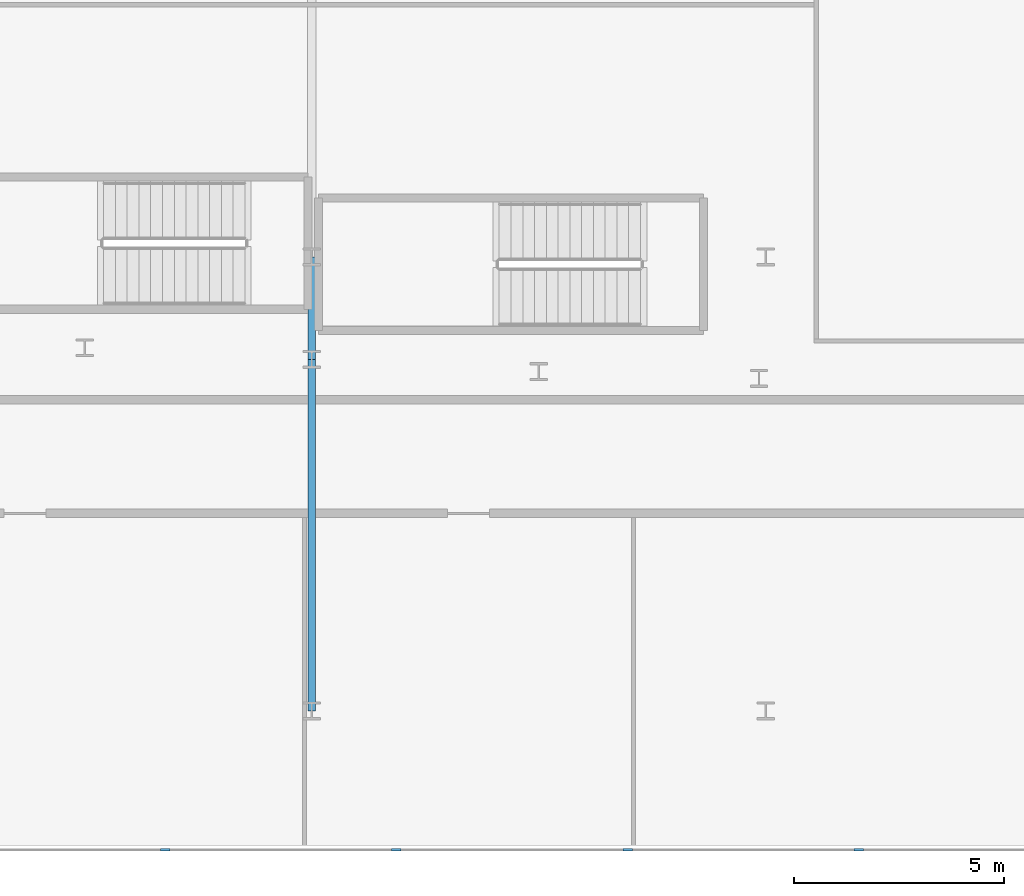
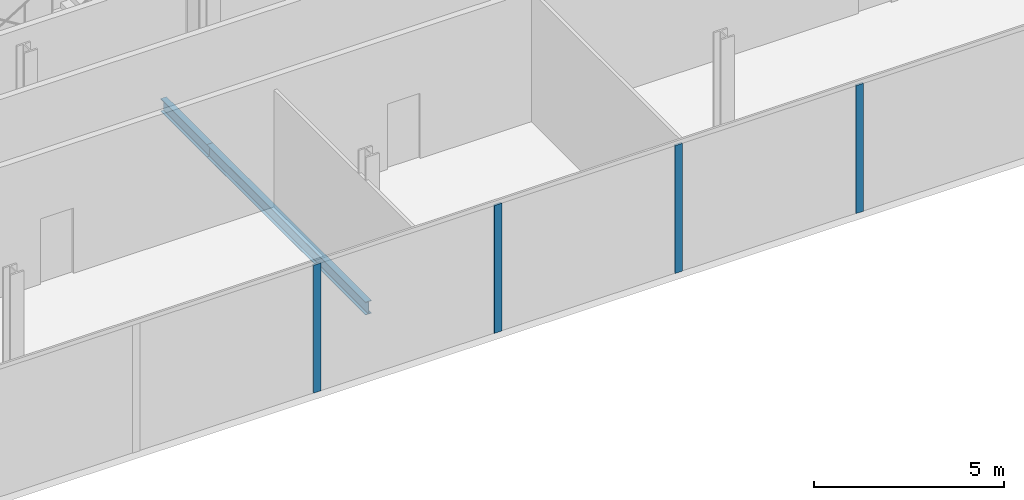
# One storey, part 10 of 47: 4 members, 2 beams, 1 element without a shape of its own.
"""IFC4 building model written with IfcOpenShell, lengths in metres."""

from ifc_helpers import new_model, si_unit, direction, frame, origin, origin_2d, place, context, subcontext, project, spatial, rectangle, i_section, extrude, material, layer, layer_set, material_profile, profile_set, type_object, element, aggregate, save


model = new_model("IFC4")

# Units and contexts
model_context = context("Model", 3, precision=1e-05, world=origin(), true_north=direction((0.0, 1.0)))
body_context = subcontext(model_context, "Body", "Model", "MODEL_VIEW")
ifc_project = project(units=[si_unit("LENGTHUNIT", "METRE"), si_unit("AREAUNIT", "SQUARE_METRE"), si_unit("VOLUMEUNIT", "CUBIC_METRE"), si_unit("PLANEANGLEUNIT", "RADIAN"), si_unit("MASSUNIT", "GRAM", prefix="KILO")], contexts=[model_context])

# Site, building, storey
site_placement = place(None, origin())
site = spatial("IfcSite", under=ifc_project, at=site_placement, CompositionType="ELEMENT")
building_placement = place(site_placement, origin())
building = spatial("IfcBuilding", under=site, at=building_placement, Name="Kheshtan School and Residences Tower", CompositionType="ELEMENT")
storey_placement = place(building_placement, frame((0.0, 0.0, 17.0)))
storey = spatial("IfcBuildingStorey", under=building, at=storey_placement, Name="L03", CompositionType="ELEMENT", Elevation=17.0)

# Beams
ifc_material_1 = material(Name="Steel ASTM A992 Grade 50", Category="steel")
ifc_material_profile_1 = material_profile(ifc_material_1, i_section(OverallWidth=0.180908203125, OverallDepth=0.4169921875, WebThickness=0.010986328125, FlangeThickness=0.018310546875, FilletRadius=0.012451171875, at=origin_2d()), Name="W410x85")
ifc_profile_set_1 = profile_set([ifc_material_profile_1], Name="Steel ASTM A992 Grade 50")
beam_type = type_object("IfcBeamType", Name="Beam PB1 W410x85 ASTM A992 Grade 50", PredefinedType="BEAM", material=ifc_profile_set_1)
beam_1_placement = place(storey_placement, frame((80.0, 13.199951171875, -0.528564453125), z_axis=(0.0, 1.0, 0.0), x_axis=(-1.0, 0.0, 0.0)))
element("IfcBeam", 1, at=beam_1_placement, inside=storey, type_object=beam_type, Name="Podium floor beam PB1", PredefinedType="BEAM", context=body_context, shape_type="SweptSolid", body=[
    extrude(i_section(OverallWidth=0.180908203125, OverallDepth=0.4169921875, WebThickness=0.010986328125, FlangeThickness=0.018310546875, FilletRadius=0.012451171875, at=origin_2d()), origin(), (0.0, 0.0, 1.0), 8.360107421875),
])
beam_2_placement = place(storey_placement, frame((80.0, 21.56005859375, -0.528564453125), z_axis=(0.0, 1.0, 0.0), x_axis=(-1.0, 0.0, 0.0)))
element("IfcBeam", 2, at=beam_2_placement, inside=storey, type_object=beam_type, Name="Podium floor beam PB1", PredefinedType="BEAM", context=body_context, shape_type="SweptSolid", body=[
    extrude(i_section(OverallWidth=0.180908203125, OverallDepth=0.4169921875, WebThickness=0.010986328125, FlangeThickness=0.018310546875, FilletRadius=0.012451171875, at=origin_2d()), origin(), (0.0, 0.0, 1.0), 2.43994140625),
])

# Curtain wall, members
ifc_material_2 = material(Name="Clear low-e glass in thermally broken aluminium frame", Category="aluminium")
ifc_layer = layer(ifc_material_2, 0.22509765625)
ifc_layer_set = layer_set([ifc_layer], Name="Curtain wall CW-P")
curtain_wall_type = type_object("IfcCurtainWallType", Name="Curtain wall CW-P", PredefinedType="NOTDEFINED", material=ifc_layer_set)
curtain_wall_placement = place(storey_placement, origin())
curtain_wall = element("IfcCurtainWall", 3, at=curtain_wall_placement, inside=storey, type_object=curtain_wall_type, Name="Curtain wall CWP12a", PredefinedType="NOTDEFINED")
ifc_material_3 = material(Name="Thermally broken aluminium, dark bronze anodised", Category="aluminium")
ifc_material_profile_2 = material_profile(ifc_material_3, rectangle(XDim=0.06005859375, YDim=0.22509765625, at=origin_2d()), Name="CW-P mullion 60x225")
ifc_profile_set_2 = profile_set([ifc_material_profile_2], Name="Thermally broken aluminium, dark bronze anodised")
member_type = type_object("IfcMemberType", Name="CW-P mullion 60x225", PredefinedType="MULLION", material=ifc_profile_set_2)
member_1_placement = place(storey_placement, frame((93.010986328125, 9.89990234375, 0.0), z_axis=(0.0, 0.0, 1.0), x_axis=(0.0, -1.0, 0.0)))
member_1 = element("IfcMember", 4, at=member_1_placement, type_object=member_type, Name="CWP12a mullion 7", PredefinedType="MULLION", context=body_context, shape_type="SweptSolid", body=[
    extrude(rectangle(XDim=0.06005859375, YDim=0.22509765625, at=origin_2d()), origin(), (0.0, 0.0, 1.0), 4.110107421875),
])
member_2_placement = place(storey_placement, frame((87.5126953125, 9.89990234375, 0.0), z_axis=(0.0, 0.0, 1.0), x_axis=(0.0, -1.0, 0.0)))
member_2 = element("IfcMember", 5, at=member_2_placement, type_object=member_type, Name="CWP12a mullion 8", PredefinedType="MULLION", context=body_context, shape_type="SweptSolid", body=[
    extrude(rectangle(XDim=0.06005859375, YDim=0.22509765625, at=origin_2d()), origin(), (0.0, 0.0, 1.0), 4.110107421875),
])
member_3_placement = place(storey_placement, frame((82.0146484375, 9.89990234375, 0.0), z_axis=(0.0, 0.0, 1.0), x_axis=(0.0, -1.0, 0.0)))
member_3 = element("IfcMember", 6, at=member_3_placement, type_object=member_type, Name="CWP12a mullion 9", PredefinedType="MULLION", context=body_context, shape_type="SweptSolid", body=[
    extrude(rectangle(XDim=0.06005859375, YDim=0.22509765625, at=origin_2d()), origin(), (0.0, 0.0, 1.0), 4.110107421875),
])
member_4_placement = place(storey_placement, frame((76.516357421875, 9.89990234375, 0.0), z_axis=(0.0, 0.0, 1.0), x_axis=(0.0, -1.0, 0.0)))
member_4 = element("IfcMember", 7, at=member_4_placement, type_object=member_type, Name="CWP12a mullion 10", PredefinedType="MULLION", context=body_context, shape_type="SweptSolid", body=[
    extrude(rectangle(XDim=0.06005859375, YDim=0.22509765625, at=origin_2d()), origin(), (0.0, 0.0, 1.0), 4.110107421875),
])
aggregate(curtain_wall, [member_1, member_2, member_3, member_4])

save(model, "model.ifc")
